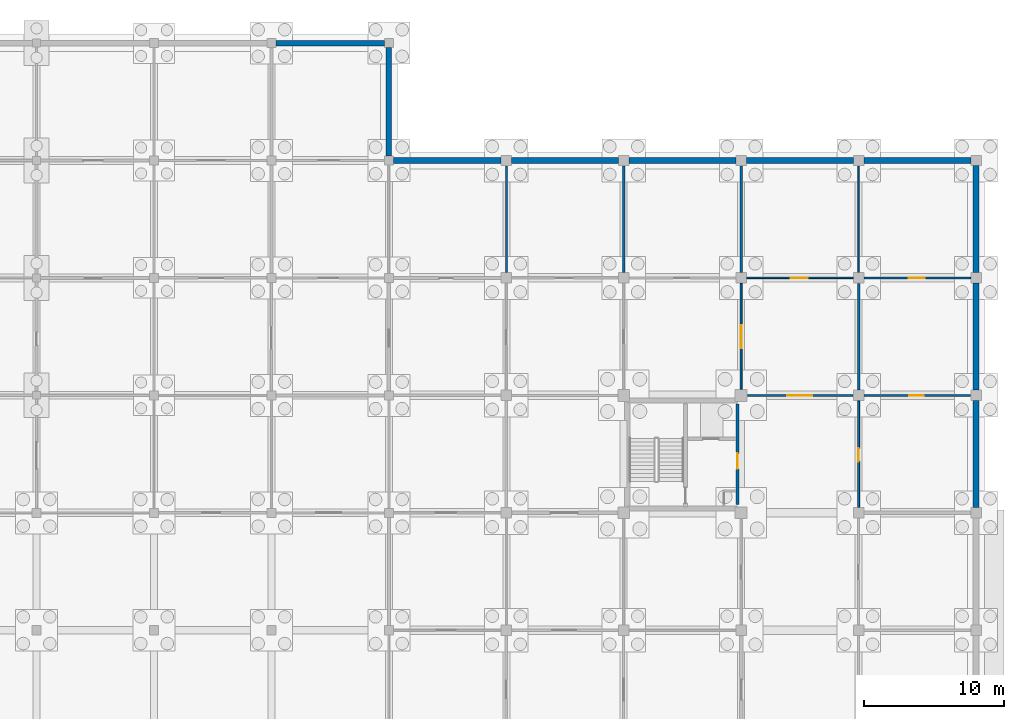
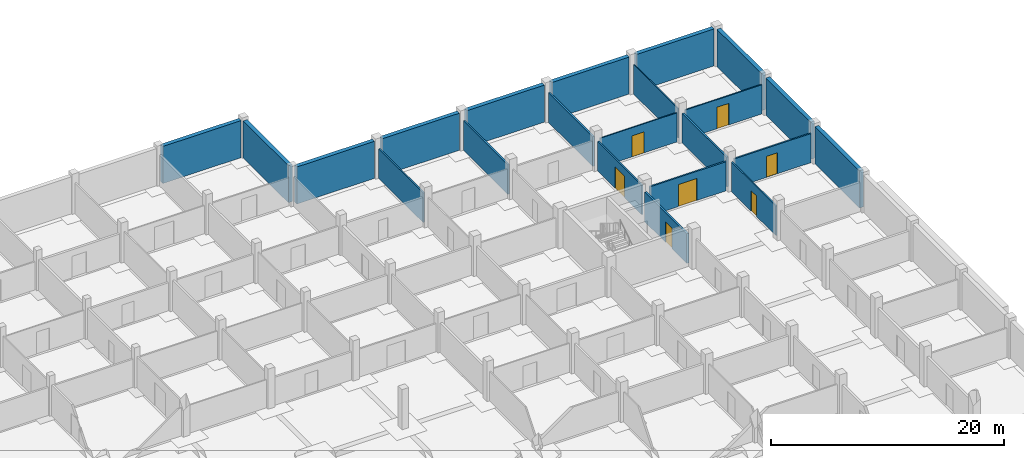
# One storey, part 37 of 43: 22 walls, 7 doors, 7 openings.
"""IFC4 building model written with IfcOpenShell, lengths in metres."""

from ifc_helpers import new_model, si_unit, direction, frame, frame_2d, origin, place, context, subcontext, project, spatial, rectangle, extrude, material, layer, layer_set, type_object, element, fill, save


model = new_model("IFC4")

# Units and contexts
model_context = context("Model", 3, precision=1e-05, world=origin(), true_north=direction((0.0, 1.0)))
body_context = subcontext(model_context, "Body", "Model", "MODEL_VIEW")
ifc_project = project(units=[si_unit("LENGTHUNIT", "METRE"), si_unit("AREAUNIT", "SQUARE_METRE"), si_unit("VOLUMEUNIT", "CUBIC_METRE"), si_unit("PLANEANGLEUNIT", "RADIAN"), si_unit("MASSUNIT", "GRAM", prefix="KILO")], contexts=[model_context])

# Site, building, storey
site_placement = place(None, origin())
site = spatial("IfcSite", under=ifc_project, at=site_placement, CompositionType="ELEMENT")
building_placement = place(site_placement, origin())
building = spatial("IfcBuilding", under=site, at=building_placement, Name="Varnapada Polytechnic", CompositionType="ELEMENT")
storey_placement = place(building_placement, frame((0.0, 0.0, -4.199951171875)))
storey = spatial("IfcBuildingStorey", under=building, at=storey_placement, Name="B1", CompositionType="ELEMENT", Elevation=-4.199951171875)

# Wall, opening, door
ifc_material_1 = material(Name="Autoclaved Aerated Concrete Block AAC-600", Category="concrete")
ifc_layer_1 = layer(ifc_material_1, 0.199951171875)
ifc_layer_set_1 = layer_set([ifc_layer_1], Name="Autoclaved Aerated Concrete Block AAC-600")
wall_type_1 = type_object("IfcWallType", Name="Interior Wall IW-01", PredefinedType="PARTITIONING", material=ifc_layer_set_1)
wall_1_placement = place(storey_placement, frame((159.340087890625, 100.199951171875, 0.0), z_axis=(0.0, 0.0, 1.0), x_axis=(0.0, -1.0, 0.0)))
wall_1 = element("IfcWall", 1, at=wall_1_placement, inside=storey, type_object=wall_type_1, Name="B1 C5 firefighting lobby east wall", PredefinedType="PARTITIONING", context=body_context, shape_type="SweptSolid", body=[
    extrude(rectangle(XDim=7.199951171875, YDim=0.199951171875, at=frame_2d((3.60009765625, 0.0))), origin(), (0.0, 0.0, 1.0), 3.099853515625),
])
opening_1_placement = place(wall_1_placement, frame((3.550048828125, 0.0, 0.0)))
opening_1 = element("IfcOpeningElement", 2, at=opening_1_placement, cuts=wall_1, Name="Opening D-611", PredefinedType="OPENING", context=body_context, shape_type="SweptSolid", body=[
    extrude(rectangle(XDim=1.10009765625, YDim=2.14990234375, at=frame_2d((0.550048828125, 1.074951171875))), frame((0.0, 0.10986328125, 0.0), z_axis=(0.0, -1.0, 0.0), x_axis=(1.0, 0.0, 0.0)), (0.0, 0.0, 1.0), 0.219970703125),
])
ifc_material_2 = material(Name="Galvanized Steel Z275", Category="steel")
door_type_1 = type_object("IfcDoorType", Name="Interior Door ID-01", OperationType="NOTDEFINED", PredefinedType="DOOR", material=ifc_material_2)
door_1_placement = place(opening_1_placement, frame((1.10009765625, 0.0, 0.0), z_axis=(0.0, 0.0, 1.0), x_axis=(-1.0, 0.0, 0.0)))
door_1 = element("IfcDoor", 3, at=door_1_placement, inside=storey, type_object=door_type_1, Name="B1 C5 lobby fire door D-611", OperationType="SINGLE_SWING_LEFT", OverallHeight=2.14990234375, OverallWidth=1.10009765625, PredefinedType="DOOR", context=body_context, shape_type="SweptSolid", body=[
    extrude(rectangle(XDim=1.10009765625, YDim=2.14990234375, at=frame_2d((0.550048828125, 1.074951171875))), frame((0.0, 0.02490234375, 0.0), z_axis=(0.0, -1.0, 0.0), x_axis=(1.0, 0.0, 0.0)), (0.0, 0.0, 1.0), 0.050048828125),
])
fill(opening_1, door_1)

ifc_layer_2 = layer(ifc_material_1, 0.14990234375)
ifc_layer_set_2 = layer_set([ifc_layer_2], Name="Autoclaved Aerated Concrete Block AAC-600")
wall_type_2 = type_object("IfcWallType", Name="Interior Wall IW-02", PredefinedType="PARTITIONING", material=ifc_layer_set_2)
wall_2_placement = place(storey_placement, frame((168.39501953125, 100.800048828125, 0.0), z_axis=(0.0, 0.0, 1.0), x_axis=(1.0, 0.0, 0.0)))
wall_2 = element("IfcWall", 4, at=wall_2_placement, inside=storey, type_object=wall_type_2, Name="B1 interior partition IW-B1-20-11-H", PredefinedType="PARTITIONING", context=body_context, shape_type="SweptSolid", body=[
    extrude(rectangle(XDim=7.60986328125, YDim=0.14990234375, at=frame_2d((3.804931640625, 0.0))), origin(), (0.0, 0.0, 1.0), 3.050048828125),
])
opening_2_placement = place(wall_2_placement, frame((3.22509765625, 0.0, 0.0)))
opening_2 = element("IfcOpeningElement", 5, at=opening_2_placement, cuts=wall_2, Name="Opening D-806", PredefinedType="OPENING", context=body_context, shape_type="SweptSolid", body=[
    extrude(rectangle(XDim=1.050048828125, YDim=2.199951171875, at=frame_2d((0.52490234375, 1.10009765625))), frame((0.0, 0.0849609375, 0.0), z_axis=(0.0, -1.0, 0.0), x_axis=(1.0, 0.0, 0.0)), (0.0, 0.0, 1.0), 0.169921875),
])
ifc_material_3 = material(Name="Solid Teak Hardwood Timber", Category="wood")
door_type_2 = type_object("IfcDoorType", Name="Interior Door ID-09", OperationType="NOTDEFINED", PredefinedType="DOOR", material=ifc_material_3)
door_2_placement = place(opening_2_placement, frame((1.050048828125, 0.0, 0.0), z_axis=(0.0, 0.0, 1.0), x_axis=(-1.0, 0.0, 0.0)))
door_2 = element("IfcDoor", 6, at=door_2_placement, inside=storey, type_object=door_type_2, Name="B1 interior room door D-806", OperationType="SINGLE_SWING_LEFT", OverallHeight=2.199951171875, OverallWidth=1.050048828125, PredefinedType="DOOR", context=body_context, shape_type="SweptSolid", body=[
    extrude(rectangle(XDim=1.050048828125, YDim=2.199951171875, at=frame_2d((0.52490234375, 1.10009765625))), frame((0.0, 0.02490234375, 0.0), z_axis=(0.0, -1.0, 0.0), x_axis=(1.0, 0.0, 0.0)), (0.0, 0.0, 1.0), 0.050048828125),
])
fill(opening_2, door_2)

ifc_material_4 = material(Name="Gypsum Plasterboard Acoustic Partition")
ifc_layer_3 = layer(ifc_material_4, 0.125)
ifc_layer_set_3 = layer_set([ifc_layer_3], Name="Gypsum Plasterboard Acoustic Partition")
wall_type_3 = type_object("IfcWallType", Name="Interior Wall IW-03", PredefinedType="PARTITIONING", material=ifc_layer_set_3)
wall_3_placement = place(storey_placement, frame((168.39501953125, 109.199951171875, 0.0), z_axis=(0.0, 0.0, 1.0), x_axis=(1.0, 0.0, 0.0)))
wall_3 = element("IfcWall", 7, at=wall_3_placement, inside=storey, type_object=wall_type_3, Name="B1 interior partition IW-B1-20-12-H", PredefinedType="PARTITIONING", context=body_context, shape_type="SweptSolid", body=[
    extrude(rectangle(XDim=7.60986328125, YDim=0.125, at=frame_2d((3.804931640625, 0.0))), origin(), (0.0, 0.0, 1.0), 3.050048828125),
])
opening_3_placement = place(wall_3_placement, frame((3.175048828125, 0.0, 0.0)))
opening_3 = element("IfcOpeningElement", 8, at=opening_3_placement, cuts=wall_3, Name="Opening D-807", PredefinedType="OPENING", context=body_context, shape_type="SweptSolid", body=[
    extrude(rectangle(XDim=1.14990234375, YDim=2.25, at=frame_2d((0.574951171875, 1.125))), frame((0.0, 0.072509765625, 0.0), z_axis=(0.0, -1.0, 0.0), x_axis=(1.0, 0.0, 0.0)), (0.0, 0.0, 1.0), 0.14501953125),
])
ifc_material_5 = material(Name="Powder-Coated Aluminium 6063-T6", Category="aluminium")
door_type_3 = type_object("IfcDoorType", Name="Interior Door ID-10", OperationType="NOTDEFINED", PredefinedType="DOOR", material=ifc_material_5)
door_3_placement = place(opening_3_placement, origin())
door_3 = element("IfcDoor", 9, at=door_3_placement, inside=storey, type_object=door_type_3, Name="B1 interior room door D-807", OperationType="SINGLE_SWING_RIGHT", OverallHeight=2.25, OverallWidth=1.14990234375, PredefinedType="DOOR", context=body_context, shape_type="SweptSolid", body=[
    extrude(rectangle(XDim=1.14990234375, YDim=2.25, at=frame_2d((0.574951171875, 1.125))), frame((0.0, 0.02490234375, 0.0), z_axis=(0.0, -1.0, 0.0), x_axis=(1.0, 0.0, 0.0)), (0.0, 0.0, 1.0), 0.050048828125),
])
fill(opening_3, door_3)

ifc_material_6 = material(Name="Moisture-Resistant Cement Board Partition")
ifc_layer_4 = layer(ifc_material_6, 0.139892578125)
ifc_layer_set_4 = layer_set([ifc_layer_4], Name="Moisture-Resistant Cement Board Partition")
wall_type_4 = type_object("IfcWallType", Name="Interior Wall IW-04", PredefinedType="PARTITIONING", material=ifc_layer_set_4)
wall_4_placement = place(storey_placement, frame((159.60009765625, 101.2451171875, 0.0), z_axis=(0.0, 0.0, 1.0), x_axis=(0.0, 1.0, 0.0)))
wall_4 = element("IfcWall", 10, at=wall_4_placement, inside=storey, type_object=wall_type_4, Name="B1 interior partition IW-B1-18-12-V", PredefinedType="PARTITIONING", context=body_context, shape_type="SweptSolid", body=[
    extrude(rectangle(XDim=7.559814453125, YDim=0.139892578125, at=frame_2d((3.77978515625, 0.0))), origin(), (0.0, 0.0, 1.0), 3.099853515625),
])
opening_4_placement = place(wall_4_placement, frame((2.925048828125, 0.0, 0.0)))
opening_4 = element("IfcOpeningElement", 11, at=opening_4_placement, cuts=wall_4, Name="Opening D-788", PredefinedType="OPENING", context=body_context, shape_type="SweptSolid", body=[
    extrude(rectangle(XDim=1.64990234375, YDim=2.25, at=frame_2d((0.824951171875, 1.125))), frame((0.0, 0.079833984375, 0.0), z_axis=(0.0, -1.0, 0.0), x_axis=(1.0, 0.0, 0.0)), (0.0, 0.0, 1.0), 0.159912109375),
])
door_type_4 = type_object("IfcDoorType", Name="Interior Door ID-08", OperationType="NOTDEFINED", PredefinedType="DOOR", material=ifc_material_3)
door_4_placement = place(opening_4_placement, frame((1.64990234375, 0.0, 0.0), z_axis=(0.0, 0.0, 1.0), x_axis=(-1.0, 0.0, 0.0)))
door_4 = element("IfcDoor", 12, at=door_4_placement, inside=storey, type_object=door_type_4, Name="B1 interior room door D-788", OperationType="SINGLE_SWING_LEFT", OverallHeight=2.25, OverallWidth=1.64990234375, PredefinedType="DOOR", context=body_context, shape_type="SweptSolid", body=[
    extrude(rectangle(XDim=1.64990234375, YDim=2.25, at=frame_2d((0.824951171875, 1.125))), frame((0.0, 0.02490234375, 0.0), z_axis=(0.0, -1.0, 0.0), x_axis=(1.0, 0.0, 0.0)), (0.0, 0.0, 1.0), 0.050048828125),
])
fill(opening_4, door_4)

wall_5_placement = place(storey_placement, frame((168.0, 92.794921875, 0.0), z_axis=(0.0, 0.0, 1.0), x_axis=(0.0, 1.0, 0.0)))
wall_5 = element("IfcWall", 13, at=wall_5_placement, inside=storey, type_object=wall_type_4, Name="B1 interior partition IW-B1-19-11-V", PredefinedType="PARTITIONING", context=body_context, shape_type="SweptSolid", body=[
    extrude(rectangle(XDim=7.610107421875, YDim=0.139892578125, at=frame_2d((3.80517578125, 0.0))), origin(), (0.0, 0.0, 1.0), 3.099853515625),
])
opening_5_placement = place(wall_5_placement, frame((3.27490234375, 0.0, 0.0)))
opening_5 = element("IfcOpeningElement", 14, at=opening_5_placement, cuts=wall_5, Name="Opening D-800", PredefinedType="OPENING", context=body_context, shape_type="SweptSolid", body=[
    extrude(rectangle(XDim=0.949951171875, YDim=2.14990234375, at=frame_2d((0.47509765625, 1.074951171875))), frame((0.0, 0.079833984375, 0.0), z_axis=(0.0, -1.0, 0.0), x_axis=(1.0, 0.0, 0.0)), (0.0, 0.0, 1.0), 0.159912109375),
])
ifc_material_7 = material(Name="Moisture-Resistant HPL Timber", Category="wood")
door_type_5 = type_object("IfcDoorType", Name="Interior Door ID-03", OperationType="NOTDEFINED", PredefinedType="DOOR", material=ifc_material_7)
door_5_placement = place(opening_5_placement, frame((0.949951171875, 0.0, 0.0), z_axis=(0.0, 0.0, 1.0), x_axis=(-1.0, 0.0, 0.0)))
door_5 = element("IfcDoor", 15, at=door_5_placement, inside=storey, type_object=door_type_5, Name="B1 interior room door D-800", OperationType="SINGLE_SWING_LEFT", OverallHeight=2.14990234375, OverallWidth=0.949951171875, PredefinedType="DOOR", context=body_context, shape_type="SweptSolid", body=[
    extrude(rectangle(XDim=0.949951171875, YDim=2.14990234375, at=frame_2d((0.47509765625, 1.074951171875))), frame((0.0, 0.02490234375, 0.0), z_axis=(0.0, -1.0, 0.0), x_axis=(1.0, 0.0, 0.0)), (0.0, 0.0, 1.0), 0.050048828125),
])
fill(opening_5, door_5)

# Wall
ifc_material_8 = material(Name="Cross-laminated timber CLT C24", Category="wood")
ifc_layer_5 = layer(ifc_material_8, 0.159912109375)
ifc_layer_set_5 = layer_set([ifc_layer_5], Name="Cross-laminated timber CLT C24")
wall_type_5 = type_object("IfcWallType", Name="Interior Wall IW-05", PredefinedType="PARTITIONING", material=ifc_layer_set_5)
wall_6_placement = place(storey_placement, frame((151.199951171875, 109.594970703125, 0.0), z_axis=(0.0, 0.0, 1.0), x_axis=(0.0, 1.0, 0.0)))
element("IfcWall", 16, at=wall_6_placement, inside=storey, type_object=wall_type_5, Name="B1 interior partition IW-B1-17-13-V", PredefinedType="PARTITIONING", context=body_context, shape_type="SweptSolid", body=[
    extrude(rectangle(XDim=7.610107421875, YDim=0.159912109375, at=frame_2d((3.80517578125, 0.0))), origin(), (0.0, 0.0, 1.0), 3.099853515625),
])

# Wall, opening, door
wall_7_placement = place(storey_placement, frame((160.044921875, 100.800048828125, 0.0), z_axis=(0.0, 0.0, 1.0), x_axis=(1.0, 0.0, 0.0)))
wall_7 = element("IfcWall", 17, at=wall_7_placement, inside=storey, type_object=wall_type_5, Name="B1 interior partition IW-B1-19-11-H", PredefinedType="PARTITIONING", context=body_context, shape_type="SweptSolid", body=[
    extrude(rectangle(XDim=7.56005859375, YDim=0.159912109375, at=frame_2d((3.780029296875, 0.0))), origin(), (0.0, 0.0, 1.0), 3.050048828125),
])
opening_6_placement = place(wall_7_placement, frame((2.85009765625, 0.0, 0.0)))
opening_6 = element("IfcOpeningElement", 18, at=opening_6_placement, cuts=wall_7, Name="Opening D-801", PredefinedType="OPENING", context=body_context, shape_type="SweptSolid", body=[
    extrude(rectangle(XDim=1.800048828125, YDim=2.300048828125, at=frame_2d((0.89990234375, 1.14990234375))), frame((0.0, 0.08984375, 0.0), z_axis=(0.0, -1.0, 0.0), x_axis=(1.0, 0.0, 0.0)), (0.0, 0.0, 1.0), 0.179931640625),
])
ifc_material_9 = material(Name="Acoustic Double Timber Leaf", Category="wood")
door_type_6 = type_object("IfcDoorType", Name="Interior Door ID-04", OperationType="NOTDEFINED", PredefinedType="DOOR", material=ifc_material_9)
door_6_placement = place(opening_6_placement, origin())
door_6 = element("IfcDoor", 19, at=door_6_placement, inside=storey, type_object=door_type_6, Name="B1 interior room door D-801", OperationType="SINGLE_SWING_RIGHT", OverallHeight=2.300048828125, OverallWidth=1.800048828125, PredefinedType="DOOR", context=body_context, shape_type="SweptSolid", body=[
    extrude(rectangle(XDim=1.800048828125, YDim=2.300048828125, at=frame_2d((0.89990234375, 1.14990234375))), frame((0.0, 0.02490234375, 0.0), z_axis=(0.0, -1.0, 0.0), x_axis=(1.0, 0.0, 0.0)), (0.0, 0.0, 1.0), 0.050048828125),
])
fill(opening_6, door_6)

# Walls
ifc_material_10 = material(Name="Acoustic Double-Stud Studio Partition")
ifc_layer_6 = layer(ifc_material_10, 0.179931640625)
ifc_layer_set_6 = layer_set([ifc_layer_6], Name="Acoustic Double-Stud Studio Partition")
wall_type_6 = type_object("IfcWallType", Name="Interior Wall IW-06", PredefinedType="PARTITIONING", material=ifc_layer_set_6)
wall_8_placement = place(storey_placement, frame((159.60009765625, 109.594970703125, 0.0), z_axis=(0.0, 0.0, 1.0), x_axis=(0.0, 1.0, 0.0)))
element("IfcWall", 20, at=wall_8_placement, inside=storey, type_object=wall_type_6, Name="B1 interior partition IW-B1-18-13-V", PredefinedType="PARTITIONING", context=body_context, shape_type="SweptSolid", body=[
    extrude(rectangle(XDim=7.610107421875, YDim=0.179931640625, at=frame_2d((3.80517578125, 0.0))), origin(), (0.0, 0.0, 1.0), 3.099853515625),
])
wall_9_placement = place(storey_placement, frame((168.0, 101.195068359375, 0.0), z_axis=(0.0, 0.0, 1.0), x_axis=(0.0, 1.0, 0.0)))
element("IfcWall", 21, at=wall_9_placement, inside=storey, type_object=wall_type_6, Name="B1 interior partition IW-B1-19-12-V", PredefinedType="PARTITIONING", context=body_context, shape_type="SweptSolid", body=[
    extrude(rectangle(XDim=7.60986328125, YDim=0.179931640625, at=frame_2d((3.804931640625, 0.0))), origin(), (0.0, 0.0, 1.0), 3.099853515625),
])

# Wall, opening, door
ifc_material_11 = material(Name="Glazed Timber-Framed Studio Screen", Category="wood")
ifc_layer_7 = layer(ifc_material_11, 0.110107421875)
ifc_layer_set_7 = layer_set([ifc_layer_7], Name="Glazed Timber-Framed Studio Screen")
wall_type_7 = type_object("IfcWallType", Name="Interior Wall IW-07", PredefinedType="PARTITIONING", material=ifc_layer_set_7)
wall_10_placement = place(storey_placement, frame((159.9951171875, 109.199951171875, 0.0), z_axis=(0.0, 0.0, 1.0), x_axis=(1.0, 0.0, 0.0)))
wall_10 = element("IfcWall", 22, at=wall_10_placement, inside=storey, type_object=wall_type_7, Name="B1 interior partition IW-B1-19-12-H", PredefinedType="PARTITIONING", context=body_context, shape_type="SweptSolid", body=[
    extrude(rectangle(XDim=7.60986328125, YDim=0.110107421875, at=frame_2d((3.804931640625, 0.0))), origin(), (0.0, 0.0, 1.0), 3.050048828125),
])
opening_7_placement = place(wall_10_placement, frame((3.14990234375, 0.0, 0.0)))
opening_7 = element("IfcOpeningElement", 23, at=opening_7_placement, cuts=wall_10, Name="Opening D-802", PredefinedType="OPENING", context=body_context, shape_type="SweptSolid", body=[
    extrude(rectangle(XDim=1.199951171875, YDim=2.199951171875, at=frame_2d((0.60009765625, 1.10009765625))), frame((0.0, 0.06494140625, 0.0), z_axis=(0.0, -1.0, 0.0), x_axis=(1.0, 0.0, 0.0)), (0.0, 0.0, 1.0), 0.130126953125),
])
door_type_7 = type_object("IfcDoorType", Name="Interior Door ID-05", OperationType="NOTDEFINED", PredefinedType="DOOR", material=ifc_material_3)
door_7_placement = place(opening_7_placement, origin())
door_7 = element("IfcDoor", 24, at=door_7_placement, inside=storey, type_object=door_type_7, Name="B1 interior room door D-802", OperationType="SINGLE_SWING_LEFT", OverallHeight=2.199951171875, OverallWidth=1.199951171875, PredefinedType="DOOR", context=body_context, shape_type="SweptSolid", body=[
    extrude(rectangle(XDim=1.199951171875, YDim=2.199951171875, at=frame_2d((0.60009765625, 1.10009765625))), frame((0.0, 0.02490234375, 0.0), z_axis=(0.0, -1.0, 0.0), x_axis=(1.0, 0.0, 0.0)), (0.0, 0.0, 1.0), 0.050048828125),
])
fill(opening_7, door_7)

# Walls
ifc_material_12 = material(Name="Operable Acoustic Seminar Partition")
ifc_layer_8 = layer(ifc_material_12, 0.10009765625)
ifc_layer_set_8 = layer_set([ifc_layer_8], Name="Operable Acoustic Seminar Partition")
wall_type_8 = type_object("IfcWallType", Name="Interior Wall IW-08", PredefinedType="MOVABLE", material=ifc_layer_set_8)
wall_11_placement = place(storey_placement, frame((168.0, 109.594970703125, 0.0), z_axis=(0.0, 0.0, 1.0), x_axis=(0.0, 1.0, 0.0)))
element("IfcWall", 25, at=wall_11_placement, inside=storey, type_object=wall_type_8, Name="B1 interior partition IW-B1-19-13-V", PredefinedType="MOVABLE", context=body_context, shape_type="SweptSolid", body=[
    extrude(rectangle(XDim=7.610107421875, YDim=0.10009765625, at=frame_2d((3.80517578125, 0.0))), origin(), (0.0, 0.0, 1.0), 3.099853515625),
])
ifc_material_13 = material(Name="Ceramic-Tiled Wet Laboratory Wall")
ifc_layer_9 = layer(ifc_material_13, 0.14501953125)
ifc_layer_set_9 = layer_set([ifc_layer_9], Name="Ceramic-Tiled Wet Laboratory Wall")
wall_type_9 = type_object("IfcWallType", Name="Interior Wall IW-14", PredefinedType="PARTITIONING", material=ifc_layer_set_9)
wall_12_placement = place(storey_placement, frame((142.800048828125, 109.594970703125, 0.0), z_axis=(0.0, 0.0, 1.0), x_axis=(0.0, 1.0, 0.0)))
element("IfcWall", 26, at=wall_12_placement, inside=storey, type_object=wall_type_9, Name="B1 interior partition IW-B1-16-13-V", PredefinedType="PARTITIONING", context=body_context, shape_type="SweptSolid", body=[
    extrude(rectangle(XDim=7.610107421875, YDim=0.14501953125, at=frame_2d((3.80517578125, 0.0))), origin(), (0.0, 0.0, 1.0), 3.099853515625),
])
ifc_material_14 = material(Name="Concrete C40/50", Category="concrete")
ifc_layer_10 = layer(ifc_material_14, 0.39990234375)
ifc_layer_set_10 = layer_set([ifc_layer_10], Name="Concrete C40/50")
wall_type_10 = type_object("IfcWallType", Name="Wall RW-01", PredefinedType="STANDARD", material=ifc_layer_set_10)
for number, where, z_axis, x_axis, name in (
    (27, (126.324951171875, 126.0, 0.0), (0.0, 0.0, 1.0), (1.0, 0.0, 0.0), "B1 perimeter retaining wall 53"),
    (28, (134.39990234375, 125.675048828125, 0.0), (0.0, 0.0, 1.0), (0.0, -1.0, 0.0), "B1 perimeter retaining wall 54"),
):
    element("IfcWall", number, at=place(storey_placement, frame(where, z_axis=z_axis, x_axis=x_axis)), inside=storey, type_object=wall_type_10, Name=name, PredefinedType="STANDARD", context=body_context, shape_type="SweptSolid", body=[
        extrude(rectangle(XDim=7.75, YDim=0.39990234375, at=frame_2d((3.875, 0.0))), origin(), (0.0, 0.0, 1.0), 3.8798828125),
    ])
wall_13_placement = place(storey_placement, frame((134.72509765625, 117.60009765625, 0.0), z_axis=(0.0, 0.0, 1.0), x_axis=(1.0, 0.0, 0.0)))
element("IfcWall", 29, at=wall_13_placement, inside=storey, type_object=wall_type_10, Name="B1 perimeter retaining wall 56", PredefinedType="STANDARD", context=body_context, shape_type="SweptSolid", body=[
    extrude(rectangle(XDim=7.699951171875, YDim=0.39990234375, at=frame_2d((3.85009765625, 0.0))), origin(), (0.0, 0.0, 1.0), 3.8798828125),
])
wall_14_placement = place(storey_placement, frame((143.175048828125, 117.60009765625, 0.0), z_axis=(0.0, 0.0, 1.0), x_axis=(1.0, 0.0, 0.0)))
element("IfcWall", 30, at=wall_14_placement, inside=storey, type_object=wall_type_10, Name="B1 perimeter retaining wall 58", PredefinedType="STANDARD", context=body_context, shape_type="SweptSolid", body=[
    extrude(rectangle(XDim=7.64990234375, YDim=0.39990234375, at=frame_2d((3.824951171875, 0.0))), origin(), (0.0, 0.0, 1.0), 3.8798828125),
])
wall_15_placement = place(storey_placement, frame((151.574951171875, 117.60009765625, 0.0), z_axis=(0.0, 0.0, 1.0), x_axis=(1.0, 0.0, 0.0)))
element("IfcWall", 31, at=wall_15_placement, inside=storey, type_object=wall_type_10, Name="B1 perimeter retaining wall 60", PredefinedType="STANDARD", context=body_context, shape_type="SweptSolid", body=[
    extrude(rectangle(XDim=7.650146484375, YDim=0.39990234375, at=frame_2d((3.8251953125, 0.0))), origin(), (0.0, 0.0, 1.0), 3.8798828125),
])
wall_16_placement = place(storey_placement, frame((159.97509765625, 117.60009765625, 0.0), z_axis=(0.0, 0.0, 1.0), x_axis=(1.0, 0.0, 0.0)))
element("IfcWall", 32, at=wall_16_placement, inside=storey, type_object=wall_type_10, Name="B1 perimeter retaining wall 62", PredefinedType="STANDARD", context=body_context, shape_type="SweptSolid", body=[
    extrude(rectangle(XDim=7.64990234375, YDim=0.39990234375, at=frame_2d((3.824951171875, 0.0))), origin(), (0.0, 0.0, 1.0), 3.8798828125),
])
wall_17_placement = place(storey_placement, frame((176.39990234375, 100.425048828125, 0.0), z_axis=(0.0, 0.0, 1.0), x_axis=(0.0, -1.0, 0.0)))
element("IfcWall", 33, at=wall_17_placement, inside=storey, type_object=wall_type_10, Name="B1 perimeter retaining wall 75", PredefinedType="STANDARD", context=body_context, shape_type="SweptSolid", body=[
    extrude(rectangle(XDim=7.650146484375, YDim=0.39990234375, at=frame_2d((3.8251953125, 0.0))), origin(), (0.0, 0.0, 1.0), 3.8798828125),
])
for number, where, z_axis, x_axis, name in (
    (34, (176.39990234375, 108.824951171875, 0.0), (0.0, 0.0, 1.0), (0.0, -1.0, 0.0), "B1 perimeter retaining wall 76"),
    (35, (168.375, 117.60009765625, 0.0), (0.0, 0.0, 1.0), (1.0, 0.0, 0.0), "B1 perimeter retaining wall 77"),
):
    element("IfcWall", number, at=place(storey_placement, frame(where, z_axis=z_axis, x_axis=x_axis)), inside=storey, type_object=wall_type_10, Name=name, PredefinedType="STANDARD", context=body_context, shape_type="SweptSolid", body=[
        extrude(rectangle(XDim=7.64990234375, YDim=0.39990234375, at=frame_2d((3.824951171875, 0.0))), origin(), (0.0, 0.0, 1.0), 3.8798828125),
    ])
wall_18_placement = place(storey_placement, frame((176.39990234375, 117.22509765625, 0.0), z_axis=(0.0, 0.0, 1.0), x_axis=(0.0, -1.0, 0.0)))
element("IfcWall", 36, at=wall_18_placement, inside=storey, type_object=wall_type_10, Name="B1 perimeter retaining wall 78", PredefinedType="STANDARD", context=body_context, shape_type="SweptSolid", body=[
    extrude(rectangle(XDim=7.650146484375, YDim=0.39990234375, at=frame_2d((3.8251953125, 0.0))), origin(), (0.0, 0.0, 1.0), 3.8798828125),
])

save(model, "model.ifc")
